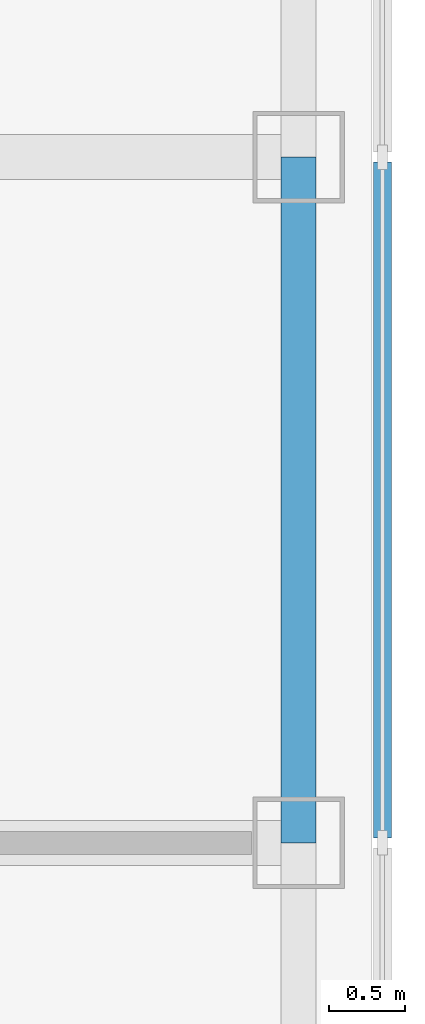
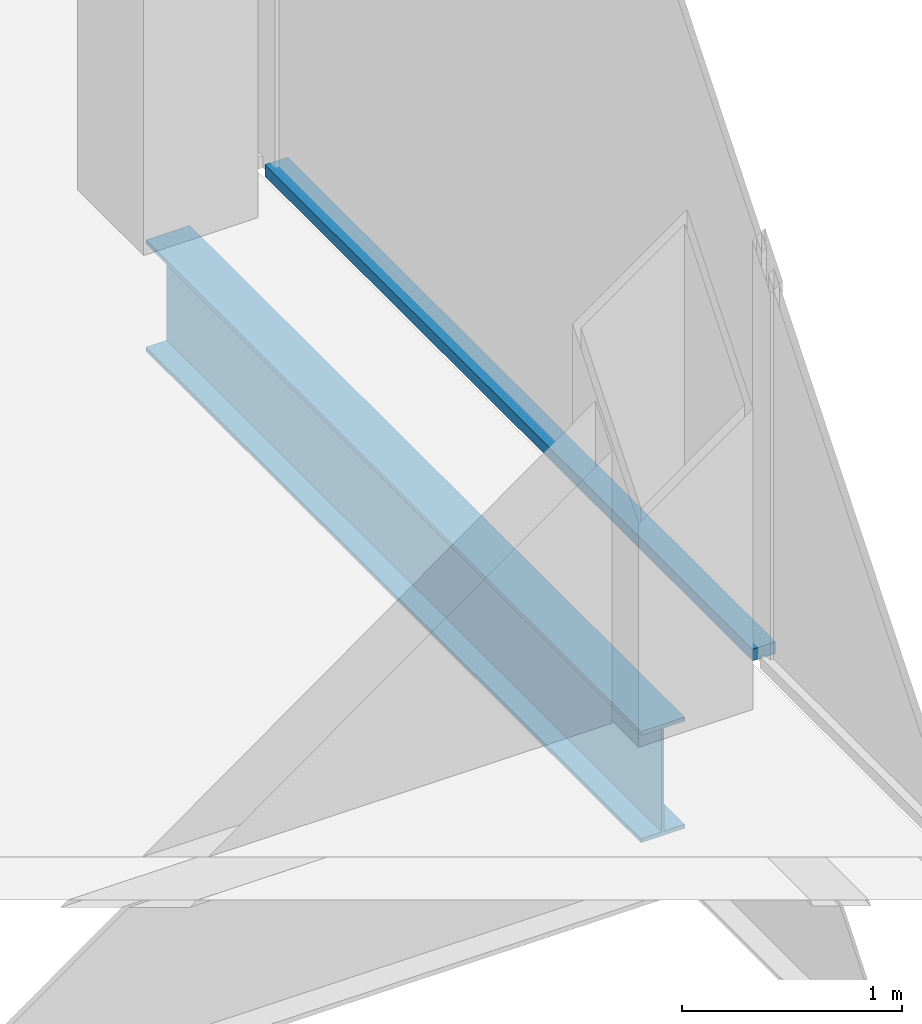
# One storey, part 5 of 14: 1 beam, 1 member, 1 element without a shape of its own.
"""IFC4 building model written with IfcOpenShell, lengths in metres."""

from ifc_helpers import new_model, si_unit, direction, frame, origin, origin_2d, place, context, subcontext, project, spatial, rectangle, i_section, extrude, material, material_profile, profile_set, type_object, element, aggregate, save


model = new_model("IFC4")

# Units and contexts
model_context = context("Model", 3, precision=1e-05, world=origin(), true_north=direction((0.0, 1.0)))
body_context = subcontext(model_context, "Body", "Model", "MODEL_VIEW")
ifc_project = project(units=[si_unit("LENGTHUNIT", "METRE"), si_unit("AREAUNIT", "SQUARE_METRE"), si_unit("VOLUMEUNIT", "CUBIC_METRE"), si_unit("PLANEANGLEUNIT", "RADIAN"), si_unit("MASSUNIT", "GRAM", prefix="KILO")], contexts=[model_context])

# Site, building, storey
site_placement = place(None, origin())
site = spatial("IfcSite", under=ifc_project, at=site_placement, CompositionType="ELEMENT")
building_placement = place(site_placement, origin())
building = spatial("IfcBuilding", under=site, at=building_placement, Name="Corais Broadcast Tower", CompositionType="ELEMENT")
storey_placement = place(building_placement, frame((0.0, 0.0, 266.60009765625)))
storey = spatial("IfcBuildingStorey", under=building, at=storey_placement, Name="L62", CompositionType="ELEMENT", Elevation=266.60009765625)

# Beam
ifc_material_1 = material(Name="Steel ASTM A572 Grade 50", Category="steel")
ifc_material_profile_1 = material_profile(ifc_material_1, i_section(OverallWidth=0.22998046875, OverallDepth=0.616943359375, WebThickness=0.01318359375, FlangeThickness=0.022216796875, at=origin_2d()), Name="W610x140")
ifc_profile_set_1 = profile_set([ifc_material_profile_1], Name="Steel ASTM A572 Grade 50")
beam_type = type_object("IfcBeamType", Name="Spandrel W610x140", PredefinedType="BEAM", material=ifc_profile_set_1)
beam_placement = place(storey_placement, frame((54.0, 27.0, -0.468505859375), z_axis=(0.0, 1.0, 0.0), x_axis=(-1.0, 0.0, 0.0)))
element("IfcBeam", 1, at=beam_placement, inside=storey, type_object=beam_type, Name="SB3 G/15 to H/15", PredefinedType="BEAM", context=body_context, shape_type="SweptSolid", body=[
    extrude(i_section(OverallWidth=0.22998046875, OverallDepth=0.616943359375, WebThickness=0.01318359375, FlangeThickness=0.022216796875, at=origin_2d()), origin(), (0.0, 0.0, 1.0), 4.5),
])

# Curtain wall, member
ifc_material_2 = material(Name="Aluminium and glass", Category="aluminium")
curtain_wall_type = type_object("IfcCurtainWallType", Name="Unitised fritted curtain wall CW3", PredefinedType="NOTDEFINED", material=ifc_material_2)
curtain_wall_placement = place(storey_placement, origin())
curtain_wall = element("IfcCurtainWall", 2, at=curtain_wall_placement, inside=storey, type_object=curtain_wall_type, Name="CW3 curtain wall L62 6", PredefinedType="NOTDEFINED")
ifc_material_3 = material(Name="Aluminium 6063-T6", Category="aluminium")
ifc_material_profile_2 = material_profile(ifc_material_3, rectangle(XDim=0.1201171875, YDim=0.06494140625, at=origin_2d()), Name="Transom CW3 65x120")
ifc_profile_set_2 = profile_set([ifc_material_profile_2], Name="Aluminium 6063-T6")
member_type = type_object("IfcMemberType", Name="Transom CW3 65x120", PredefinedType="USERDEFINED", material=ifc_profile_set_2)
member_placement = place(storey_placement, frame((54.550048828125, 31.467529296875, 0.032470703125), z_axis=(0.0, -1.0, 0.0), x_axis=(1.0, 0.0, 0.0)))
member = element("IfcMember", 3, at=member_placement, type_object=member_type, Name="CW3 transom 3.1", ObjectType="TRANSOM", PredefinedType="USERDEFINED", context=body_context, shape_type="SweptSolid", body=[
    extrude(rectangle(XDim=0.1201171875, YDim=0.06494140625, at=origin_2d()), origin(), (0.0, 0.0, 1.0), 4.43505859375),
])
aggregate(curtain_wall, [member])

save(model, "model.ifc")
